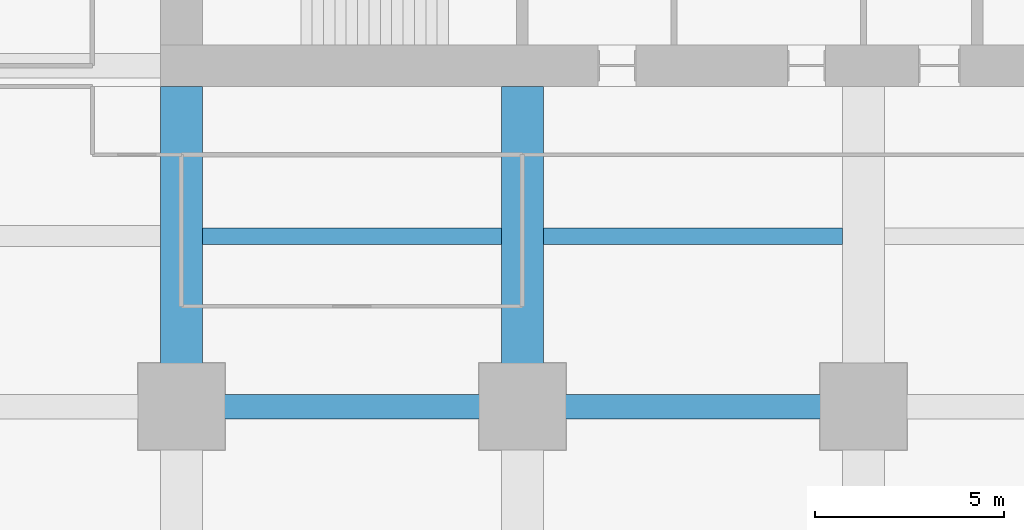
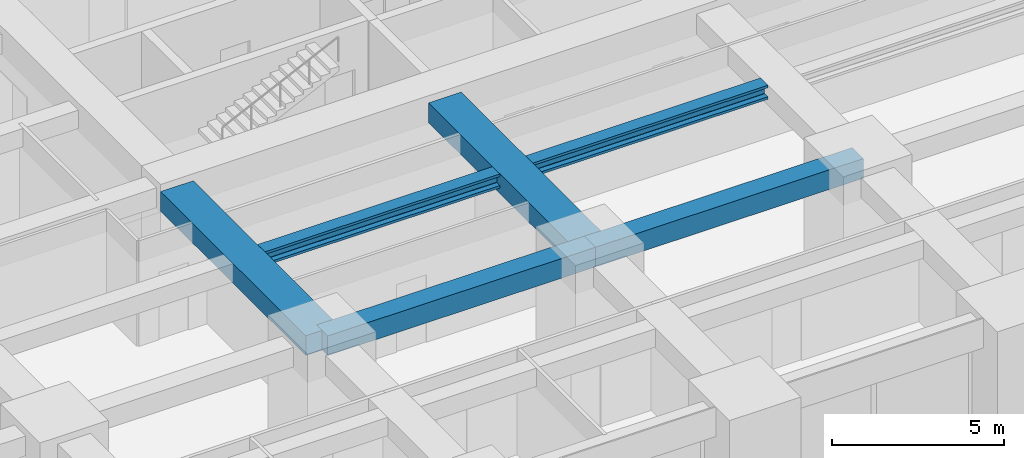
# One storey, part 8 of 44: 6 beams.
"""IFC4 building model written with IfcOpenShell, lengths in metres."""

from ifc_helpers import new_model, si_unit, direction, frame, origin, origin_2d, place, context, subcontext, project, spatial, rectangle, i_section, extrude, material, material_profile, profile_set, type_object, element, save


model = new_model("IFC4")

# Units and contexts
model_context = context("Model", 3, precision=1e-05, world=origin(), true_north=direction((0.0, 1.0)))
body_context = subcontext(model_context, "Body", "Model", "MODEL_VIEW")
ifc_project = project(units=[si_unit("LENGTHUNIT", "METRE"), si_unit("AREAUNIT", "SQUARE_METRE"), si_unit("VOLUMEUNIT", "CUBIC_METRE"), si_unit("PLANEANGLEUNIT", "RADIAN"), si_unit("MASSUNIT", "GRAM", prefix="KILO")], contexts=[model_context])

# Site, building, storey
site_placement = place(None, origin())
site = spatial("IfcSite", under=ifc_project, at=site_placement, CompositionType="ELEMENT")
building_placement = place(site_placement, origin())
building = spatial("IfcBuilding", under=site, at=building_placement, Name="Zorevar Civic Tower", CompositionType="ELEMENT")
storey_placement = place(building_placement, frame((0.0, 0.0, 43.800048828125)))
storey = spatial("IfcBuildingStorey", under=building, at=storey_placement, Name="L10", CompositionType="ELEMENT", Elevation=43.800048828125)

# Beams
ifc_material_1 = material(Name="Concrete C50/60", Category="concrete")
ifc_material_profile_1 = material_profile(ifc_material_1, rectangle(XDim=1.10009765625, YDim=0.699951171875, at=origin_2d()), Name="RC 1100x700")
ifc_profile_set_1 = profile_set([ifc_material_profile_1], Name="Concrete C50/60")
beam_type_1 = type_object("IfcBeamType", Name="Beam RC 1100x700", PredefinedType="BEAM", material=ifc_profile_set_1)
for number, where, z_axis, x_axis, name in (
    (1, (18.0, 9.0, 3.39990234375), (0.0, 1.0, 0.0), (-1.0, 0.0, 0.0), "Girder L11"),
    (2, (27.0, 9.0, 3.39990234375), (0.0, 1.0, 0.0), (-1.0, 0.0, 0.0), "Girder L11"),
):
    element("IfcBeam", number, at=place(storey_placement, frame(where, z_axis=z_axis, x_axis=x_axis)), inside=storey, type_object=beam_type_1, Name=name, PredefinedType="BEAM", context=body_context, shape_type="SweptSolid", body=[
        extrude(rectangle(XDim=1.10009765625, YDim=0.699951171875, at=origin_2d()), origin(), (0.0, 0.0, 1.0), 8.449951171875),
    ])
ifc_material_2 = material(Name="Concrete C50/60", Category="concrete")
ifc_material_profile_2 = material_profile(ifc_material_2, rectangle(XDim=0.64990234375, YDim=0.699951171875, at=origin_2d()), Name="RC 650x700")
ifc_profile_set_2 = profile_set([ifc_material_profile_2], Name="Concrete C50/60")
beam_type_2 = type_object("IfcBeamType", Name="Beam RC 650x700", PredefinedType="BEAM", material=ifc_profile_set_2)
for number, where, z_axis, x_axis, name in (
    (3, (18.0, 9.0, 3.39990234375), (1.0, 0.0, 0.0), (0.0, 1.0, 0.0), "Girder L11"),
    (4, (27.0, 9.0, 3.39990234375), (1.0, 0.0, 0.0), (0.0, 1.0, 0.0), "Girder L11"),
):
    element("IfcBeam", number, at=place(storey_placement, frame(where, z_axis=z_axis, x_axis=x_axis)), inside=storey, type_object=beam_type_2, Name=name, PredefinedType="BEAM", context=body_context, shape_type="SweptSolid", body=[
        extrude(rectangle(XDim=0.64990234375, YDim=0.699951171875, at=origin_2d()), origin(), (0.0, 0.0, 1.0), 9.0),
    ])
ifc_material_3 = material(Name="Steel S460M (HISTAR 460)", Category="steel")
ifc_material_profile_3 = material_profile(ifc_material_3, i_section(OverallWidth=0.431884765625, OverallDepth=0.498046875, WebThickness=0.0556640625, FlangeThickness=0.0888671875, FilletRadius=0.014892578125, at=origin_2d()), Name="HD 400x744")
ifc_profile_set_3 = profile_set([ifc_material_profile_3], Name="Steel S460M (HISTAR 460)")
beam_type_3 = type_object("IfcBeamType", Name="Core bay beam HD 400x744", PredefinedType="BEAM", material=ifc_profile_set_3)
for number, where, z_axis, x_axis, name in (
    (5, (18.550048828125, 13.5, 3.5009765625), (1.0, 0.0, 0.0), (0.0, 1.0, 0.0), "Secondary beam L11"),
    (6, (27.550048828125, 13.5, 3.5009765625), (1.0, 0.0, 0.0), (0.0, 1.0, 0.0), "Secondary beam L11"),
):
    element("IfcBeam", number, at=place(storey_placement, frame(where, z_axis=z_axis, x_axis=x_axis)), inside=storey, type_object=beam_type_3, Name=name, PredefinedType="BEAM", context=body_context, shape_type="SweptSolid", body=[
        extrude(i_section(OverallWidth=0.431884765625, OverallDepth=0.498046875, WebThickness=0.0556640625, FlangeThickness=0.0888671875, FilletRadius=0.014892578125, at=origin_2d()), origin(), (0.0, 0.0, 1.0), 7.89990234375),
    ])

save(model, "model.ifc")
